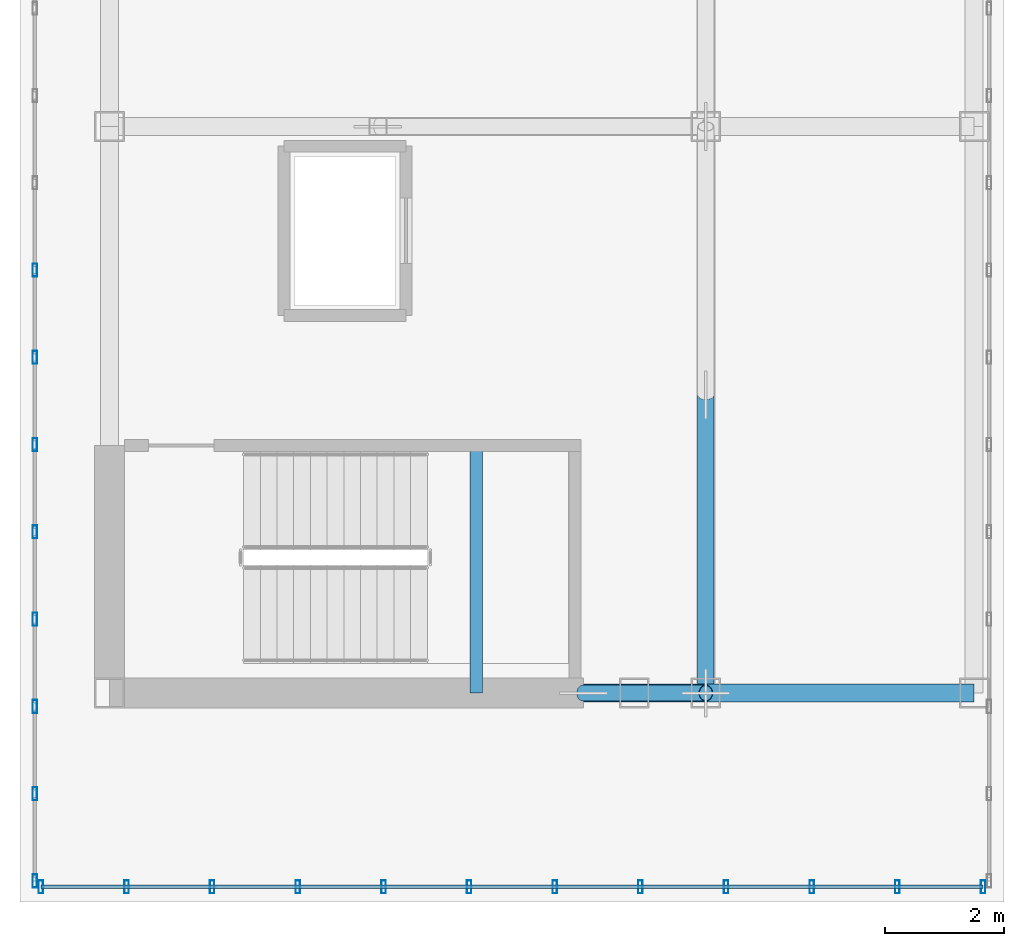
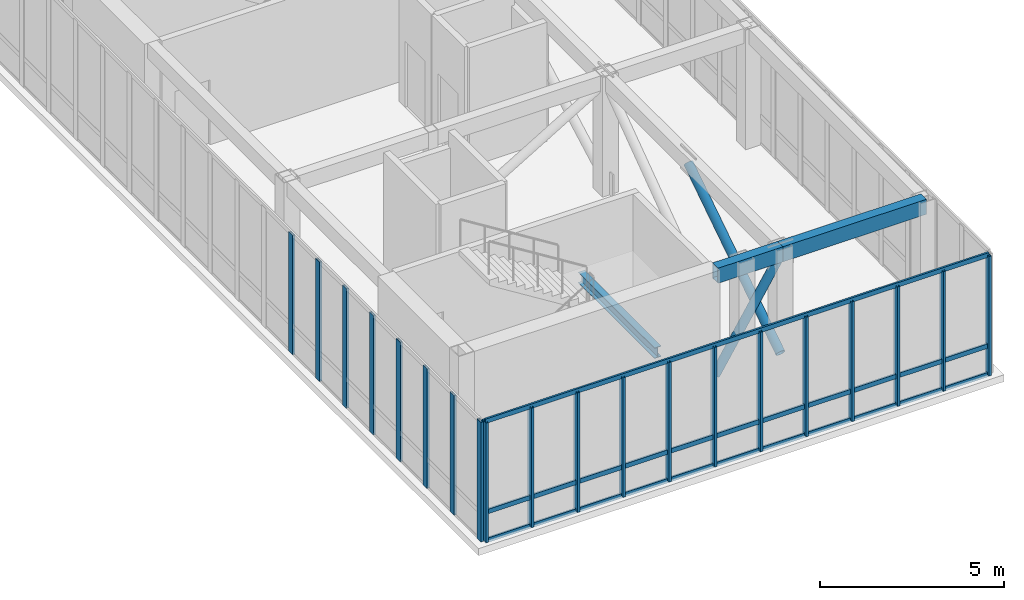
# One storey, part 2 of 13: 25 members, 3 beams, 2 elements without a shape of their own.
"""IFC4 building model written with IfcOpenShell, lengths in metres."""

from ifc_helpers import new_model, si_unit, direction, frame, origin, origin_2d, place, context, subcontext, project, spatial, hollow_rectangle, hollow_circle, i_section, extrude, source, transform, mapped, material, layer, layer_set, material_profile, profile_set, type_object, element, aggregate, save


model = new_model("IFC4")

# Units and contexts
model_context = context("Model", 3, precision=1e-05, world=origin(), true_north=direction((0.0, 1.0)))
body_context = subcontext(model_context, "Body", "Model", "MODEL_VIEW")
ifc_project = project(units=[si_unit("LENGTHUNIT", "METRE"), si_unit("AREAUNIT", "SQUARE_METRE"), si_unit("VOLUMEUNIT", "CUBIC_METRE"), si_unit("PLANEANGLEUNIT", "RADIAN"), si_unit("MASSUNIT", "GRAM", prefix="KILO")], contexts=[model_context])

# Site, building, storey
site_placement = place(None, origin())
site = spatial("IfcSite", under=ifc_project, at=site_placement, CompositionType="ELEMENT")
building_placement = place(site_placement, origin())
building = spatial("IfcBuilding", under=site, at=building_placement, Name="Kharzan Plaza Tower", CompositionType="ELEMENT")
storey_placement = place(building_placement, frame((0.0, 0.0, 294.0)))
storey = spatial("IfcBuildingStorey", under=building, at=storey_placement, Name="L79-CROWN", CompositionType="ELEMENT", Elevation=294.0)

# Beams
ifc_material_1 = material(Name="Steel S355", Category="steel")
ifc_material_profile_1 = material_profile(ifc_material_1, i_section(OverallWidth=0.205078125, OverallDepth=0.35400390625, WebThickness=0.009521484375, FlangeThickness=0.016845703125, at=origin_2d()), Name="W360x79")
ifc_profile_set_1 = profile_set([ifc_material_profile_1], Name="Steel S355")
beam_type_1 = type_object("IfcBeamType", Name="BM-LNT360", PredefinedType="LINTEL", material=ifc_profile_set_1)
shared_shape_1 = source(origin(), body_context, "Body", "SweptSolid", [
    extrude(i_section(OverallWidth=0.205078125, OverallDepth=0.35400390625, WebThickness=0.009521484375, FlangeThickness=0.016845703125, at=origin_2d()), origin(), (0.0, 0.0, 1.0), 4.155029296875),
])
beam_1_placement = place(storey_placement, frame((10.64990234375, 8.5, 1.722900390625), z_axis=(0.0, 1.0, 0.0), x_axis=(-1.0, 0.0, 0.0)))
element("IfcBeam", 1, at=beam_1_placement, inside=storey, type_object=beam_type_1, Name="L79-CROWN Stair ST-1 Half-Landing Beam", PredefinedType="LINTEL", context=body_context, shape_type="MappedRepresentation", body=[
    mapped(shared_shape_1, transform((0.0, 0.0, 0.0), x_axis=(1.0, 0.0, 0.0), y_axis=(0.0, 1.0, 0.0), z_axis=(0.0, 0.0, 1.0))),
])
ifc_material_profile_2 = material_profile(ifc_material_1, hollow_rectangle(XDim=0.300048828125, YDim=0.5, WallThickness=0.02001953125, at=origin_2d()), Name="RHS500x300x20")
ifc_profile_set_2 = profile_set([ifc_material_profile_2], Name="Steel S355")
beam_type_2 = type_object("IfcBeamType", Name="BM-CRN500", PredefinedType="BEAM", material=ifc_profile_set_2)
shared_shape_2 = source(origin(), body_context, "Body", "SweptSolid", [
    extrude(hollow_rectangle(XDim=0.300048828125, YDim=0.5, WallThickness=0.02001953125, at=origin_2d()), origin(), (0.0, 0.0, 1.0), 4.5),
])
beam_2_placement = place(storey_placement, frame((14.5, 8.5, 3.719970703125), z_axis=(1.0, 0.0, 0.0), x_axis=(0.0, 1.0, 0.0)))
element("IfcBeam", 2, at=beam_2_placement, inside=storey, type_object=beam_type_2, Name="L79-CROWN CROWN FRAME Lantern Ring Beam CRB-S3", PredefinedType="BEAM", context=body_context, shape_type="MappedRepresentation", body=[
    mapped(shared_shape_2, transform((0.0, 0.0, 0.0), x_axis=(1.0, 0.0, 0.0), y_axis=(0.0, 1.0, 0.0), z_axis=(0.0, 0.0, 1.0))),
])
shared_shape_3 = source(origin(), body_context, "Body", "SweptSolid", [
    extrude(hollow_rectangle(XDim=0.300048828125, YDim=0.5, WallThickness=0.02001953125, at=origin_2d()), origin(), (0.0, 0.0, 1.0), 2.050048828125),
])
beam_3_placement = place(storey_placement, frame((12.449951171875, 8.5, 3.719970703125), z_axis=(1.0, 0.0, 0.0), x_axis=(0.0, 1.0, 0.0)))
element("IfcBeam", 3, at=beam_3_placement, inside=storey, type_object=beam_type_2, Name="L79-CROWN CROWN FRAME Lantern Ring Beam CRB-S2", PredefinedType="BEAM", context=body_context, shape_type="MappedRepresentation", body=[
    mapped(shared_shape_3, transform((0.0, 0.0, 0.0), x_axis=(1.0, 0.0, 0.0), y_axis=(0.0, 1.0, 0.0), z_axis=(0.0, 0.0, 1.0))),
])

# Members
ifc_material_profile_3 = material_profile(ifc_material_1, hollow_circle(Radius=0.136474609375, WallThickness=0.010009765625, at=origin_2d()), Name="CHS273x10")
ifc_profile_set_3 = profile_set([ifc_material_profile_3], Name="Steel S355")
member_type_1 = type_object("IfcMemberType", Name="MEM-CRN-DIAG", PredefinedType="BRACE", material=ifc_profile_set_3)
shared_shape_4 = source(origin(), body_context, "Body", "SweptSolid", [
    extrude(hollow_circle(Radius=0.136474609375, WallThickness=0.010009765625, at=origin_2d()), origin(), (0.0, 0.0, 1.0), 3.859619140625),
])
member_1_placement = place(storey_placement, frame((12.449951171875, 8.5, 0.35009765625), z_axis=(0.531169756636, 0.0, 0.847265418647), x_axis=(0.0, 1.0, 0.0)))
element("IfcMember", 4, at=member_1_placement, inside=storey, type_object=member_type_1, Name="L79-CROWN CROWN FRAME Diagonal Wind Brace CRD-N2", PredefinedType="BRACE", context=body_context, shape_type="MappedRepresentation", body=[
    mapped(shared_shape_4, transform((0.0, 0.0, 0.0), x_axis=(1.0, 0.0, 0.0), y_axis=(0.0, 1.0, 0.0), z_axis=(0.0, 0.0, 1.0))),
])
shared_shape_5 = source(origin(), body_context, "Body", "SweptSolid", [
    extrude(hollow_circle(Radius=0.136474609375, WallThickness=0.010009765625, at=origin_2d()), origin(), (0.0, 0.0, 1.0), 5.974365234375),
])
member_2_placement = place(storey_placement, frame((14.5, 8.5, 0.35009765625), z_axis=(0.0, 0.836909137571, 0.547341845148), x_axis=(-1.0, 0.0, 0.0)))
element("IfcMember", 5, at=member_2_placement, inside=storey, type_object=member_type_1, Name="L79-CROWN CROWN FRAME Diagonal Wind Brace CRD-S1", PredefinedType="BRACE", context=body_context, shape_type="MappedRepresentation", body=[
    mapped(shared_shape_5, transform((0.0, 0.0, 0.0), x_axis=(1.0, 0.0, 0.0), y_axis=(0.0, 1.0, 0.0), z_axis=(0.0, 0.0, 1.0))),
])

# Curtain wall, members
ifc_material_2 = material(Name="Unitised Bronze-Anodized Aluminium and Low-E Glass", Category="aluminium")
ifc_layer = layer(ifc_material_2, 0.199951171875)
ifc_layer_set = layer_set([ifc_layer], Name="Unitised Bronze-Anodized Aluminium and Low-E Glass")
curtain_wall_type = type_object("IfcCurtainWallType", Name="CW-LANTERN-6", PredefinedType="NOTDEFINED", material=ifc_layer_set)
curtain_wall_1_placement = place(storey_placement, origin())
curtain_wall_1 = element("IfcCurtainWall", 6, at=curtain_wall_1_placement, inside=storey, type_object=curtain_wall_type, Name="L79-CROWN Lantern Crown Illuminated Curtain Wall 1", PredefinedType="NOTDEFINED")
ifc_material_3 = material(Name="Anodized Bronze Aluminium", Category="aluminium")
ifc_material_profile_4 = material_profile(ifc_material_3, hollow_rectangle(XDim=0.074951171875, YDim=0.219970703125, WallThickness=0.00390625, at=origin_2d()), Name="ALU-M220x75x4")
ifc_profile_set_4 = profile_set([ifc_material_profile_4], Name="Anodized Bronze Aluminium")
member_type_2 = type_object("IfcMemberType", Name="MEM-CW-MUL200", PredefinedType="MULLION", material=ifc_profile_set_4)
shared_shape_6 = source(origin(), body_context, "Body", "SweptSolid", [
    extrude(hollow_rectangle(XDim=0.074951171875, YDim=0.219970703125, WallThickness=0.00390625, at=origin_2d()), origin(), (0.0, 0.0, 1.0), 3.969970703125),
])
member_3_placement = place(storey_placement, frame((3.35009765625, 5.25, 0.0), z_axis=(0.0, 0.0, 1.0), x_axis=(1.0, 0.0, 0.0)))
member_3 = element("IfcMember", 7, at=member_3_placement, type_object=member_type_2, Name="L79-CROWN Curtain-Wall Mullion 00", PredefinedType="MULLION", context=body_context, shape_type="MappedRepresentation", body=[
    mapped(shared_shape_6, transform((0.0, 0.0, 0.0), x_axis=(1.0, 0.0, 0.0), y_axis=(0.0, 1.0, 0.0), z_axis=(0.0, 0.0, 1.0))),
])
member_4_placement = place(storey_placement, frame((4.786376953125, 5.25, 0.0), z_axis=(0.0, 0.0, 1.0), x_axis=(1.0, 0.0, 0.0)))
member_4 = element("IfcMember", 8, at=member_4_placement, type_object=member_type_2, Name="L79-CROWN Curtain-Wall Mullion 01", PredefinedType="MULLION", context=body_context, shape_type="MappedRepresentation", body=[
    mapped(shared_shape_6, transform((0.0, 0.0, 0.0), x_axis=(1.0, 0.0, 0.0), y_axis=(0.0, 1.0, 0.0), z_axis=(0.0, 0.0, 1.0))),
])
member_5_placement = place(storey_placement, frame((6.22265625, 5.25, 0.0), z_axis=(0.0, 0.0, 1.0), x_axis=(1.0, 0.0, 0.0)))
member_5 = element("IfcMember", 9, at=member_5_placement, type_object=member_type_2, Name="L79-CROWN Curtain-Wall Mullion 02", PredefinedType="MULLION", context=body_context, shape_type="MappedRepresentation", body=[
    mapped(shared_shape_6, transform((0.0, 0.0, 0.0), x_axis=(1.0, 0.0, 0.0), y_axis=(0.0, 1.0, 0.0), z_axis=(0.0, 0.0, 1.0))),
])
member_6_placement = place(storey_placement, frame((7.6591796875, 5.25, 0.0), z_axis=(0.0, 0.0, 1.0), x_axis=(1.0, 0.0, 0.0)))
member_6 = element("IfcMember", 10, at=member_6_placement, type_object=member_type_2, Name="L79-CROWN Curtain-Wall Mullion 03", PredefinedType="MULLION", context=body_context, shape_type="MappedRepresentation", body=[
    mapped(shared_shape_6, transform((0.0, 0.0, 0.0), x_axis=(1.0, 0.0, 0.0), y_axis=(0.0, 1.0, 0.0), z_axis=(0.0, 0.0, 1.0))),
])
member_7_placement = place(storey_placement, frame((9.095458984375, 5.25, 0.0), z_axis=(0.0, 0.0, 1.0), x_axis=(1.0, 0.0, 0.0)))
member_7 = element("IfcMember", 11, at=member_7_placement, type_object=member_type_2, Name="L79-CROWN Curtain-Wall Mullion 04", PredefinedType="MULLION", context=body_context, shape_type="MappedRepresentation", body=[
    mapped(shared_shape_6, transform((0.0, 0.0, 0.0), x_axis=(1.0, 0.0, 0.0), y_axis=(0.0, 1.0, 0.0), z_axis=(0.0, 0.0, 1.0))),
])
member_8_placement = place(storey_placement, frame((10.53173828125, 5.25, 0.0), z_axis=(0.0, 0.0, 1.0), x_axis=(1.0, 0.0, 0.0)))
member_8 = element("IfcMember", 12, at=member_8_placement, type_object=member_type_2, Name="L79-CROWN Curtain-Wall Mullion 05", PredefinedType="MULLION", context=body_context, shape_type="MappedRepresentation", body=[
    mapped(shared_shape_6, transform((0.0, 0.0, 0.0), x_axis=(1.0, 0.0, 0.0), y_axis=(0.0, 1.0, 0.0), z_axis=(0.0, 0.0, 1.0))),
])
member_9_placement = place(storey_placement, frame((11.96826171875, 5.25, 0.0), z_axis=(0.0, 0.0, 1.0), x_axis=(1.0, 0.0, 0.0)))
member_9 = element("IfcMember", 13, at=member_9_placement, type_object=member_type_2, Name="L79-CROWN Curtain-Wall Mullion 06", PredefinedType="MULLION", context=body_context, shape_type="MappedRepresentation", body=[
    mapped(shared_shape_6, transform((0.0, 0.0, 0.0), x_axis=(1.0, 0.0, 0.0), y_axis=(0.0, 1.0, 0.0), z_axis=(0.0, 0.0, 1.0))),
])
member_10_placement = place(storey_placement, frame((13.404541015625, 5.25, 0.0), z_axis=(0.0, 0.0, 1.0), x_axis=(1.0, 0.0, 0.0)))
member_10 = element("IfcMember", 14, at=member_10_placement, type_object=member_type_2, Name="L79-CROWN Curtain-Wall Mullion 07", PredefinedType="MULLION", context=body_context, shape_type="MappedRepresentation", body=[
    mapped(shared_shape_6, transform((0.0, 0.0, 0.0), x_axis=(1.0, 0.0, 0.0), y_axis=(0.0, 1.0, 0.0), z_axis=(0.0, 0.0, 1.0))),
])
member_11_placement = place(storey_placement, frame((14.8408203125, 5.25, 0.0), z_axis=(0.0, 0.0, 1.0), x_axis=(1.0, 0.0, 0.0)))
member_11 = element("IfcMember", 15, at=member_11_placement, type_object=member_type_2, Name="L79-CROWN Curtain-Wall Mullion 08", PredefinedType="MULLION", context=body_context, shape_type="MappedRepresentation", body=[
    mapped(shared_shape_6, transform((0.0, 0.0, 0.0), x_axis=(1.0, 0.0, 0.0), y_axis=(0.0, 1.0, 0.0), z_axis=(0.0, 0.0, 1.0))),
])
member_12_placement = place(storey_placement, frame((16.27734375, 5.25, 0.0), z_axis=(0.0, 0.0, 1.0), x_axis=(1.0, 0.0, 0.0)))
member_12 = element("IfcMember", 16, at=member_12_placement, type_object=member_type_2, Name="L79-CROWN Curtain-Wall Mullion 09", PredefinedType="MULLION", context=body_context, shape_type="MappedRepresentation", body=[
    mapped(shared_shape_6, transform((0.0, 0.0, 0.0), x_axis=(1.0, 0.0, 0.0), y_axis=(0.0, 1.0, 0.0), z_axis=(0.0, 0.0, 1.0))),
])
member_13_placement = place(storey_placement, frame((17.713623046875, 5.25, 0.0), z_axis=(0.0, 0.0, 1.0), x_axis=(1.0, 0.0, 0.0)))
member_13 = element("IfcMember", 17, at=member_13_placement, type_object=member_type_2, Name="L79-CROWN Curtain-Wall Mullion 10", PredefinedType="MULLION", context=body_context, shape_type="MappedRepresentation", body=[
    mapped(shared_shape_6, transform((0.0, 0.0, 0.0), x_axis=(1.0, 0.0, 0.0), y_axis=(0.0, 1.0, 0.0), z_axis=(0.0, 0.0, 1.0))),
])
member_14_placement = place(storey_placement, frame((19.14990234375, 5.25, 0.0), z_axis=(0.0, 0.0, 1.0), x_axis=(1.0, 0.0, 0.0)))
member_14 = element("IfcMember", 18, at=member_14_placement, type_object=member_type_2, Name="L79-CROWN Curtain-Wall Mullion 11", PredefinedType="MULLION", context=body_context, shape_type="MappedRepresentation", body=[
    mapped(shared_shape_6, transform((0.0, 0.0, 0.0), x_axis=(1.0, 0.0, 0.0), y_axis=(0.0, 1.0, 0.0), z_axis=(0.0, 0.0, 1.0))),
])

curtain_wall_2_placement = place(storey_placement, origin())
curtain_wall_2 = element("IfcCurtainWall", 19, at=curtain_wall_2_placement, inside=storey, type_object=curtain_wall_type, Name="L79-CROWN Lantern Crown Illuminated Curtain Wall 4", PredefinedType="NOTDEFINED")
member_15_placement = place(storey_placement, frame((3.25, 15.592041015625, 0.0), z_axis=(0.0, 0.0, 1.0), x_axis=(1.0, 0.0, 0.0)))
member_15 = element("IfcMember", 20, at=member_15_placement, type_object=member_type_2, Name="L79-CROWN Curtain-Wall Mullion 12", PredefinedType="MULLION", context=body_context, shape_type="MappedRepresentation", body=[
    mapped(shared_shape_6, transform((0.0, 0.0, 0.0), x_axis=(1.0, 0.0, 0.0), y_axis=(0.0, 1.0, 0.0), z_axis=(0.0, 0.0, 1.0))),
])
member_16_placement = place(storey_placement, frame((3.25, 14.12890625, 0.0), z_axis=(0.0, 0.0, 1.0), x_axis=(1.0, 0.0, 0.0)))
member_16 = element("IfcMember", 21, at=member_16_placement, type_object=member_type_2, Name="L79-CROWN Curtain-Wall Mullion 13", PredefinedType="MULLION", context=body_context, shape_type="MappedRepresentation", body=[
    mapped(shared_shape_6, transform((0.0, 0.0, 0.0), x_axis=(1.0, 0.0, 0.0), y_axis=(0.0, 1.0, 0.0), z_axis=(0.0, 0.0, 1.0))),
])
member_17_placement = place(storey_placement, frame((3.25, 12.665771484375, 0.0), z_axis=(0.0, 0.0, 1.0), x_axis=(1.0, 0.0, 0.0)))
member_17 = element("IfcMember", 22, at=member_17_placement, type_object=member_type_2, Name="L79-CROWN Curtain-Wall Mullion 14", PredefinedType="MULLION", context=body_context, shape_type="MappedRepresentation", body=[
    mapped(shared_shape_6, transform((0.0, 0.0, 0.0), x_axis=(1.0, 0.0, 0.0), y_axis=(0.0, 1.0, 0.0), z_axis=(0.0, 0.0, 1.0))),
])
member_18_placement = place(storey_placement, frame((3.25, 11.20263671875, 0.0), z_axis=(0.0, 0.0, 1.0), x_axis=(1.0, 0.0, 0.0)))
member_18 = element("IfcMember", 23, at=member_18_placement, type_object=member_type_2, Name="L79-CROWN Curtain-Wall Mullion 15", PredefinedType="MULLION", context=body_context, shape_type="MappedRepresentation", body=[
    mapped(shared_shape_6, transform((0.0, 0.0, 0.0), x_axis=(1.0, 0.0, 0.0), y_axis=(0.0, 1.0, 0.0), z_axis=(0.0, 0.0, 1.0))),
])
member_19_placement = place(storey_placement, frame((3.25, 9.739501953125, 0.0), z_axis=(0.0, 0.0, 1.0), x_axis=(1.0, 0.0, 0.0)))
member_19 = element("IfcMember", 24, at=member_19_placement, type_object=member_type_2, Name="L79-CROWN Curtain-Wall Mullion 16", PredefinedType="MULLION", context=body_context, shape_type="MappedRepresentation", body=[
    mapped(shared_shape_6, transform((0.0, 0.0, 0.0), x_axis=(1.0, 0.0, 0.0), y_axis=(0.0, 1.0, 0.0), z_axis=(0.0, 0.0, 1.0))),
])
member_20_placement = place(storey_placement, frame((3.25, 8.2763671875, 0.0), z_axis=(0.0, 0.0, 1.0), x_axis=(1.0, 0.0, 0.0)))
member_20 = element("IfcMember", 25, at=member_20_placement, type_object=member_type_2, Name="L79-CROWN Curtain-Wall Mullion 17", PredefinedType="MULLION", context=body_context, shape_type="MappedRepresentation", body=[
    mapped(shared_shape_6, transform((0.0, 0.0, 0.0), x_axis=(1.0, 0.0, 0.0), y_axis=(0.0, 1.0, 0.0), z_axis=(0.0, 0.0, 1.0))),
])
member_21_placement = place(storey_placement, frame((3.25, 6.813232421875, 0.0), z_axis=(0.0, 0.0, 1.0), x_axis=(1.0, 0.0, 0.0)))
member_21 = element("IfcMember", 26, at=member_21_placement, type_object=member_type_2, Name="L79-CROWN Curtain-Wall Mullion 18", PredefinedType="MULLION", context=body_context, shape_type="MappedRepresentation", body=[
    mapped(shared_shape_6, transform((0.0, 0.0, 0.0), x_axis=(1.0, 0.0, 0.0), y_axis=(0.0, 1.0, 0.0), z_axis=(0.0, 0.0, 1.0))),
])
member_22_placement = place(storey_placement, frame((3.25, 5.35009765625, 0.0), z_axis=(0.0, 0.0, 1.0), x_axis=(1.0, 0.0, 0.0)))
member_22 = element("IfcMember", 27, at=member_22_placement, type_object=member_type_2, Name="L79-CROWN Curtain-Wall Mullion 19", PredefinedType="MULLION", context=body_context, shape_type="MappedRepresentation", body=[
    mapped(shared_shape_6, transform((0.0, 0.0, 0.0), x_axis=(1.0, 0.0, 0.0), y_axis=(0.0, 1.0, 0.0), z_axis=(0.0, 0.0, 1.0))),
])
aggregate(curtain_wall_2, [member_15, member_16, member_17, member_18, member_19, member_20, member_21, member_22])

# Member
ifc_material_profile_5 = material_profile(ifc_material_3, hollow_rectangle(XDim=0.06005859375, YDim=0.14990234375, WallThickness=0.00341796875, at=origin_2d()), Name="ALU-T150x60x3.5")
ifc_profile_set_5 = profile_set([ifc_material_profile_5], Name="Anodized Bronze Aluminium")
member_type_3 = type_object("IfcMemberType", Name="MEM-CW-TRN150", PredefinedType="USERDEFINED", material=ifc_profile_set_5)
shared_shape_7 = source(origin(), body_context, "Body", "SweptSolid", [
    extrude(hollow_rectangle(XDim=0.06005859375, YDim=0.14990234375, WallThickness=0.00341796875, at=origin_2d()), origin(), (0.0, 0.0, 1.0), 15.7998046875),
])
member_23_placement = place(storey_placement, frame((3.35009765625, 5.25, 0.0), z_axis=(1.0, 0.0, 0.0), x_axis=(0.0, 1.0, 0.0)))
member_23 = element("IfcMember", 28, at=member_23_placement, type_object=member_type_3, Name="L79-CROWN Curtain-Wall Transom 1", ObjectType="TRANSOM", PredefinedType="USERDEFINED", context=body_context, shape_type="MappedRepresentation", body=[
    mapped(shared_shape_7, transform((0.0, 0.0, 0.0), x_axis=(1.0, 0.0, 0.0), y_axis=(0.0, 1.0, 0.0), z_axis=(0.0, 0.0, 1.0))),
])

member_24_placement = place(storey_placement, frame((3.35009765625, 5.25, 0.949951171875), z_axis=(1.0, 0.0, 0.0), x_axis=(0.0, 1.0, 0.0)))
member_24 = element("IfcMember", 29, at=member_24_placement, type_object=member_type_3, Name="L79-CROWN Curtain-Wall Transom 2", ObjectType="TRANSOM", PredefinedType="USERDEFINED", context=body_context, shape_type="MappedRepresentation", body=[
    mapped(shared_shape_7, transform((0.0, 0.0, 0.0), x_axis=(1.0, 0.0, 0.0), y_axis=(0.0, 1.0, 0.0), z_axis=(0.0, 0.0, 1.0))),
])

member_25_placement = place(storey_placement, frame((3.35009765625, 5.25, 3.969970703125), z_axis=(1.0, 0.0, 0.0), x_axis=(0.0, 1.0, 0.0)))
member_25 = element("IfcMember", 30, at=member_25_placement, type_object=member_type_3, Name="L79-CROWN Curtain-Wall Transom 3", ObjectType="TRANSOM", PredefinedType="USERDEFINED", context=body_context, shape_type="MappedRepresentation", body=[
    mapped(shared_shape_7, transform((0.0, 0.0, 0.0), x_axis=(1.0, 0.0, 0.0), y_axis=(0.0, 1.0, 0.0), z_axis=(0.0, 0.0, 1.0))),
])

aggregate(curtain_wall_1, [member_3, member_4, member_5, member_6, member_7, member_8, member_9, member_10, member_11, member_12, member_13, member_14, member_23, member_24, member_25])

save(model, "model.ifc")
